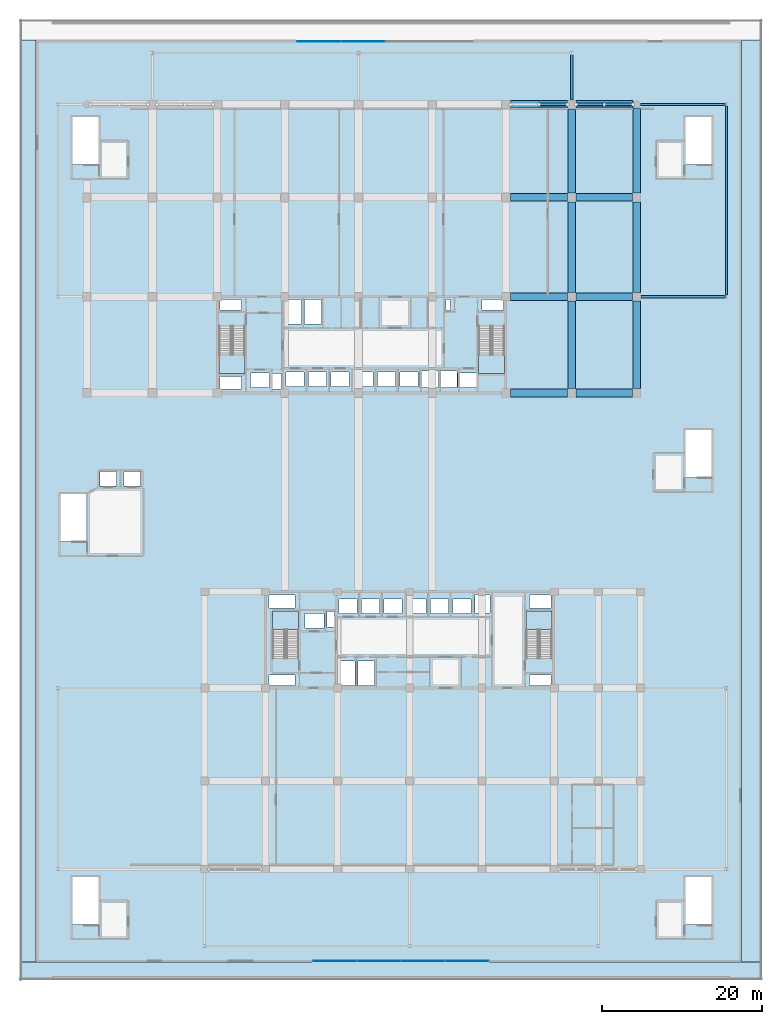
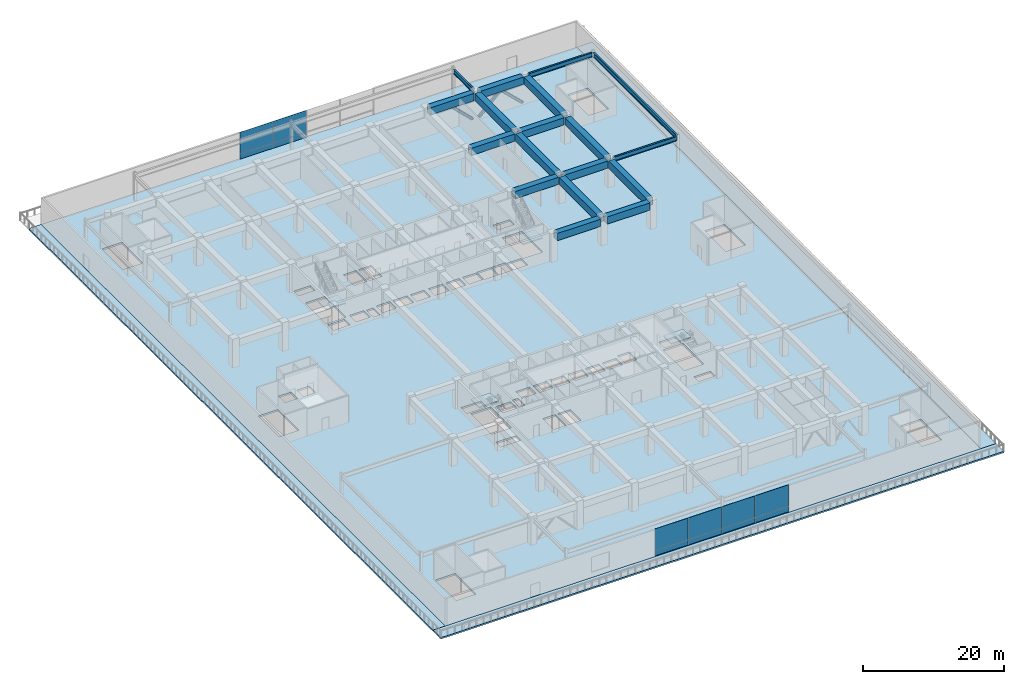
# One storey, part 17 of 38: 18 beams, 12 plates, 8 slabs, 3 members, 6 elements without a shape of their own.
"""IFC4 building model written with IfcOpenShell, lengths in metres."""

from ifc_helpers import new_model, si_unit, direction, frame, origin, origin_2d, place, context, subcontext, project, spatial, polyline, rectangle, hollow_rectangle, i_section, outline, extrude, material, layer, layer_set, material_profile, profile_set, type_object, element, aggregate, save


model = new_model("IFC4")

# Units and contexts
model_context = context("Model", 3, precision=1e-05, world=origin(), true_north=direction((0.0, 1.0)))
body_context = subcontext(model_context, "Body", "Model", "MODEL_VIEW")
ifc_project = project(units=[si_unit("LENGTHUNIT", "METRE"), si_unit("AREAUNIT", "SQUARE_METRE"), si_unit("VOLUMEUNIT", "CUBIC_METRE"), si_unit("PLANEANGLEUNIT", "RADIAN"), si_unit("MASSUNIT", "GRAM", prefix="KILO")], contexts=[model_context])

# Site, building, storey
site_placement = place(None, origin())
site = spatial("IfcSite", under=ifc_project, at=site_placement, CompositionType="ELEMENT")
building_placement = place(site_placement, origin())
building = spatial("IfcBuilding", under=site, at=building_placement, Name="Korimba Cascade Residences", CompositionType="ELEMENT")
storey_placement = place(building_placement, frame((0.0, 0.0, 19.0)))
storey = spatial("IfcBuildingStorey", under=building, at=storey_placement, Name="L04", CompositionType="ELEMENT", Elevation=19.0)

# Beams
ifc_material_1 = material(Name="Steel S355", Category="steel")
ifc_material_profile_1 = material_profile(ifc_material_1, i_section(OverallWidth=0.26806640625, OverallDepth=0.769775390625, WebThickness=0.015625, FlangeThickness=0.025390625, FilletRadius=0.0166015625, at=origin_2d()), Name="Steel S355")
ifc_profile_set_1 = profile_set([ifc_material_profile_1], Name="Steel S355")
beam_type_1 = type_object("IfcBeamType", Name="BM-STL-UB762", PredefinedType="BEAM", material=ifc_profile_set_1)
beam_1_placement = place(storey_placement, frame((128.949951171875, 67.199951171875, 4.295166015625), z_axis=(1.0, 0.0, 0.0), x_axis=(0.0, 1.0, 0.0)))
element("IfcBeam", 1, at=beam_1_placement, inside=storey, type_object=beam_type_1, Name="L04 Podium Frame Girder E3", PredefinedType="BEAM", context=body_context, shape_type="SweptSolid", body=[
    extrude(i_section(OverallWidth=0.26806640625, OverallDepth=0.769775390625, WebThickness=0.015625, FlangeThickness=0.025390625, FilletRadius=0.0166015625, at=origin_2d()), origin(), (0.0, 0.0, 1.0), 10.450439453125),
])
beam_2_placement = place(storey_placement, frame((128.875, 91.199951171875, 4.295166015625), z_axis=(1.0, 0.0, 0.0), x_axis=(0.0, 1.0, 0.0)))
element("IfcBeam", 2, at=beam_2_placement, inside=storey, type_object=beam_type_1, Name="L04 Podium Frame Girder E4", PredefinedType="BEAM", context=body_context, shape_type="SweptSolid", body=[
    extrude(i_section(OverallWidth=0.26806640625, OverallDepth=0.769775390625, WebThickness=0.015625, FlangeThickness=0.025390625, FilletRadius=0.0166015625, at=origin_2d()), origin(), (0.0, 0.0, 1.0), 10.525390625),
])
beam_3_placement = place(storey_placement, frame((139.60009765625, 67.396728515625, 4.295166015625), z_axis=(0.0, 1.0, 0.0), x_axis=(-1.0, 0.0, 0.0)))
element("IfcBeam", 3, at=beam_3_placement, inside=storey, type_object=beam_type_1, Name="L04 Podium Frame Girder ES", PredefinedType="BEAM", context=body_context, shape_type="SweptSolid", body=[
    extrude(i_section(OverallWidth=0.26806640625, OverallDepth=0.769775390625, WebThickness=0.015625, FlangeThickness=0.025390625, FilletRadius=0.0166015625, at=origin_2d()), origin(), (0.0, 0.0, 1.0), 23.6064453125),
])
beam_4_placement = place(storey_placement, frame((120.300048828125, 91.75, 4.295166015625), z_axis=(0.0, 1.0, 0.0), x_axis=(-1.0, 0.0, 0.0)))
element("IfcBeam", 4, at=beam_4_placement, inside=storey, type_object=beam_type_1, Name="L04 Podium Frame Girder N3", PredefinedType="BEAM", context=body_context, shape_type="SweptSolid", body=[
    extrude(i_section(OverallWidth=0.26806640625, OverallDepth=0.769775390625, WebThickness=0.015625, FlangeThickness=0.025390625, FilletRadius=0.0166015625, at=origin_2d()), origin(), (0.0, 0.0, 1.0), 5.6533203125),
])
ifc_material_2 = material(Name="Concrete C65/80", Category="concrete")
ifc_material_profile_2 = material_profile(ifc_material_2, rectangle(XDim=0.949951171875, YDim=1.25, at=origin_2d()), Name="Concrete C65/80")
ifc_profile_set_2 = profile_set([ifc_material_profile_2], Name="Concrete C65/80")
beam_type_2 = type_object("IfcBeamType", Name="BM-TRF-1250", PredefinedType="T_BEAM", material=ifc_profile_set_2)
beam_5_placement = place(storey_placement, frame((112.64990234375, 55.199951171875, 4.054931640625), z_axis=(1.0, 0.0, 0.0), x_axis=(0.0, 1.0, 0.0)))
element("IfcBeam", 5, at=beam_5_placement, inside=storey, type_object=beam_type_2, Name="L04 T1 E-W Girder Y1 Bay 7", PredefinedType="T_BEAM", context=body_context, shape_type="SweptSolid", body=[
    extrude(rectangle(XDim=0.949951171875, YDim=1.25, at=origin_2d()), origin(), (0.0, 0.0, 1.0), 7.10009765625),
])
beam_6_placement = place(storey_placement, frame((120.85009765625, 55.199951171875, 4.054931640625), z_axis=(1.0, 0.0, 0.0), x_axis=(0.0, 1.0, 0.0)))
element("IfcBeam", 6, at=beam_6_placement, inside=storey, type_object=beam_type_2, Name="L04 T1 E-W Girder Y1 Bay 8", PredefinedType="T_BEAM", context=body_context, shape_type="SweptSolid", body=[
    extrude(rectangle(XDim=0.949951171875, YDim=1.25, at=origin_2d()), origin(), (0.0, 0.0, 1.0), 7.0),
])
beam_7_placement = place(storey_placement, frame((112.64990234375, 67.199951171875, 4.054931640625), z_axis=(1.0, 0.0, 0.0), x_axis=(0.0, 1.0, 0.0)))
element("IfcBeam", 7, at=beam_7_placement, inside=storey, type_object=beam_type_2, Name="L04 T1 E-W Girder Y2 Bay 7", PredefinedType="T_BEAM", context=body_context, shape_type="SweptSolid", body=[
    extrude(rectangle(XDim=0.949951171875, YDim=1.25, at=origin_2d()), origin(), (0.0, 0.0, 1.0), 7.10009765625),
])
beam_8_placement = place(storey_placement, frame((120.85009765625, 67.199951171875, 4.054931640625), z_axis=(1.0, 0.0, 0.0), x_axis=(0.0, 1.0, 0.0)))
element("IfcBeam", 8, at=beam_8_placement, inside=storey, type_object=beam_type_2, Name="L04 T1 E-W Girder Y2 Bay 8", PredefinedType="T_BEAM", context=body_context, shape_type="SweptSolid", body=[
    extrude(rectangle(XDim=0.949951171875, YDim=1.25, at=origin_2d()), origin(), (0.0, 0.0, 1.0), 7.0),
])
beam_9_placement = place(storey_placement, frame((112.64990234375, 79.60009765625, 4.054931640625), z_axis=(1.0, 0.0, 0.0), x_axis=(0.0, 1.0, 0.0)))
element("IfcBeam", 9, at=beam_9_placement, inside=storey, type_object=beam_type_2, Name="L04 T1 E-W Girder Y3 Bay 7", PredefinedType="T_BEAM", context=body_context, shape_type="SweptSolid", body=[
    extrude(rectangle(XDim=0.949951171875, YDim=1.25, at=origin_2d()), origin(), (0.0, 0.0, 1.0), 7.10009765625),
])
beam_10_placement = place(storey_placement, frame((120.85009765625, 79.60009765625, 4.054931640625), z_axis=(1.0, 0.0, 0.0), x_axis=(0.0, 1.0, 0.0)))
element("IfcBeam", 10, at=beam_10_placement, inside=storey, type_object=beam_type_2, Name="L04 T1 E-W Girder Y3 Bay 8", PredefinedType="T_BEAM", context=body_context, shape_type="SweptSolid", body=[
    extrude(rectangle(XDim=0.949951171875, YDim=1.25, at=origin_2d()), origin(), (0.0, 0.0, 1.0), 7.0),
])
beam_11_placement = place(storey_placement, frame((112.64990234375, 91.199951171875, 4.054931640625), z_axis=(1.0, 0.0, 0.0), x_axis=(0.0, 1.0, 0.0)))
element("IfcBeam", 11, at=beam_11_placement, inside=storey, type_object=beam_type_2, Name="L04 T1 E-W Girder Y4 Bay 7", PredefinedType="T_BEAM", context=body_context, shape_type="SweptSolid", body=[
    extrude(rectangle(XDim=0.949951171875, YDim=1.25, at=origin_2d()), origin(), (0.0, 0.0, 1.0), 7.10009765625),
])
beam_12_placement = place(storey_placement, frame((120.85009765625, 91.199951171875, 4.054931640625), z_axis=(1.0, 0.0, 0.0), x_axis=(0.0, 1.0, 0.0)))
element("IfcBeam", 12, at=beam_12_placement, inside=storey, type_object=beam_type_2, Name="L04 T1 E-W Girder Y4 Bay 8", PredefinedType="T_BEAM", context=body_context, shape_type="SweptSolid", body=[
    extrude(rectangle(XDim=0.949951171875, YDim=1.25, at=origin_2d()), origin(), (0.0, 0.0, 1.0), 7.074951171875),
])
beam_13_placement = place(storey_placement, frame((120.300048828125, 55.75, 4.054931640625), z_axis=(0.0, 1.0, 0.0), x_axis=(-1.0, 0.0, 0.0)))
element("IfcBeam", 13, at=beam_13_placement, inside=storey, type_object=beam_type_2, Name="L04 T1 N-S Girder X8 Seg 1", PredefinedType="T_BEAM", context=body_context, shape_type="SweptSolid", body=[
    extrude(rectangle(XDim=0.949951171875, YDim=1.25, at=origin_2d()), origin(), (0.0, 0.0, 1.0), 10.89990234375),
])
beam_14_placement = place(storey_placement, frame((120.300048828125, 67.75, 4.054931640625), z_axis=(0.0, 1.0, 0.0), x_axis=(-1.0, 0.0, 0.0)))
element("IfcBeam", 14, at=beam_14_placement, inside=storey, type_object=beam_type_2, Name="L04 T1 N-S Girder X8 Seg 2", PredefinedType="T_BEAM", context=body_context, shape_type="SweptSolid", body=[
    extrude(rectangle(XDim=0.949951171875, YDim=1.25, at=origin_2d()), origin(), (0.0, 0.0, 1.0), 11.300048828125),
])
beam_15_placement = place(storey_placement, frame((120.300048828125, 80.14990234375, 4.054931640625), z_axis=(0.0, 1.0, 0.0), x_axis=(-1.0, 0.0, 0.0)))
element("IfcBeam", 15, at=beam_15_placement, inside=storey, type_object=beam_type_2, Name="L04 T1 N-S Girder X8 Seg 3", PredefinedType="T_BEAM", context=body_context, shape_type="SweptSolid", body=[
    extrude(rectangle(XDim=0.949951171875, YDim=1.25, at=origin_2d()), origin(), (0.0, 0.0, 1.0), 10.5),
])
beam_16_placement = place(storey_placement, frame((128.39990234375, 55.75, 4.054931640625), z_axis=(0.0, 1.0, 0.0), x_axis=(-1.0, 0.0, 0.0)))
element("IfcBeam", 16, at=beam_16_placement, inside=storey, type_object=beam_type_2, Name="L04 T1 N-S Girder X9 Seg 1", PredefinedType="T_BEAM", context=body_context, shape_type="SweptSolid", body=[
    extrude(rectangle(XDim=0.949951171875, YDim=1.25, at=origin_2d()), origin(), (0.0, 0.0, 1.0), 10.89990234375),
])
beam_17_placement = place(storey_placement, frame((128.39990234375, 67.75, 4.054931640625), z_axis=(0.0, 1.0, 0.0), x_axis=(-1.0, 0.0, 0.0)))
element("IfcBeam", 17, at=beam_17_placement, inside=storey, type_object=beam_type_2, Name="L04 T1 N-S Girder X9 Seg 2", PredefinedType="T_BEAM", context=body_context, shape_type="SweptSolid", body=[
    extrude(rectangle(XDim=0.949951171875, YDim=1.25, at=origin_2d()), origin(), (0.0, 0.0, 1.0), 11.300048828125),
])
beam_18_placement = place(storey_placement, frame((128.39990234375, 80.14990234375, 4.054931640625), z_axis=(0.0, 1.0, 0.0), x_axis=(-1.0, 0.0, 0.0)))
element("IfcBeam", 18, at=beam_18_placement, inside=storey, type_object=beam_type_2, Name="L04 T1 N-S Girder X9 Seg 3", PredefinedType="T_BEAM", context=body_context, shape_type="SweptSolid", body=[
    extrude(rectangle(XDim=0.949951171875, YDim=1.25, at=origin_2d()), origin(), (0.0, 0.0, 1.0), 10.5751953125),
])

# Members
ifc_material_3 = material(Name="Steel S460", Category="steel")
ifc_material_profile_3 = material_profile(ifc_material_3, hollow_rectangle(XDim=0.35009765625, YDim=0.35009765625, WallThickness=0.01611328125, InnerFilletRadius=0.01611328125, OuterFilletRadius=0.031982421875, at=origin_2d()), Name="Steel S460")
ifc_profile_set_3 = profile_set([ifc_material_profile_3], Name="Steel S460")
member_type = type_object("IfcMemberType", Name="MEM-BLT-SHS350", PredefinedType="BRACE", material=ifc_profile_set_3)
member_1_placement = place(storey_placement, frame((119.75, 91.199951171875, 0.0), z_axis=(-0.719168769834, 0.0, 0.69483543411), x_axis=(0.0, -1.0, 0.0)))
element("IfcMember", 19, at=member_1_placement, inside=storey, type_object=member_type, Name="L04 Transfer Chevron Brace N7B", PredefinedType="BRACE", context=body_context, shape_type="SweptSolid", body=[
    extrude(hollow_rectangle(XDim=0.35009765625, YDim=0.35009765625, WallThickness=0.01611328125, InnerFilletRadius=0.01611328125, OuterFilletRadius=0.031982421875, at=origin_2d()), origin(), (0.0, 0.0, 1.0), 4.936279296875),
])
member_2_placement = place(storey_placement, frame((120.85009765625, 91.199951171875, 0.0), z_axis=(0.714219812487, 0.0, 0.699921466631), x_axis=(0.0, 1.0, 0.0)))
element("IfcMember", 20, at=member_2_placement, inside=storey, type_object=member_type, Name="L04 Transfer Chevron Brace N8A", PredefinedType="BRACE", context=body_context, shape_type="SweptSolid", body=[
    extrude(hollow_rectangle(XDim=0.35009765625, YDim=0.35009765625, WallThickness=0.01611328125, InnerFilletRadius=0.01611328125, OuterFilletRadius=0.031982421875, at=origin_2d()), origin(), (0.0, 0.0, 1.0), 4.900390625),
])
member_3_placement = place(storey_placement, frame((127.925048828125, 91.199951171875, 0.0), z_axis=(-0.721591134613, 0.0, 0.692319459822), x_axis=(0.0, -1.0, 0.0)))
element("IfcMember", 21, at=member_3_placement, inside=storey, type_object=member_type, Name="L04 Transfer Chevron Brace N8B", PredefinedType="BRACE", context=body_context, shape_type="SweptSolid", body=[
    extrude(hollow_rectangle(XDim=0.35009765625, YDim=0.35009765625, WallThickness=0.01611328125, InnerFilletRadius=0.01611328125, OuterFilletRadius=0.031982421875, at=origin_2d()), origin(), (0.0, 0.0, 1.0), 4.954345703125),
])

# Curtain wall, plates
ifc_material_4 = material(Name="Anodised Aluminium Curtain Wall Framing", Category="aluminium")
ifc_layer_1 = layer(ifc_material_4, 0.179931640625)
ifc_layer_set_1 = layer_set([ifc_layer_1], Name="Anodised Aluminium Curtain Wall Framing")
curtain_wall_type = type_object("IfcCurtainWallType", Name="CW-POD-SYS1", PredefinedType="NOTDEFINED", material=ifc_layer_set_1)
curtain_wall_1_placement = place(storey_placement, origin())
curtain_wall_1 = element("IfcCurtainWall", 22, at=curtain_wall_1_placement, inside=storey, type_object=curtain_wall_type, Name="L04 Curtain Wall CW-L04-POD-S", PredefinedType="NOTDEFINED")
ifc_material_5 = material(Name="Insulated Stone-Tone Spandrel Panel", Category="masonry")
ifc_layer_2 = layer(ifc_material_5, 0.0400390625)
ifc_layer_set_2 = layer_set([ifc_layer_2], Name="Insulated Stone-Tone Spandrel Panel")
plate_type_1 = type_object("IfcPlateType", Name="CWP-SPN-40", PredefinedType="USERDEFINED", material=ifc_layer_set_2)
plate_1_placement = place(storey_placement, frame((90.77001953125, -15.64990234375, 0.0), z_axis=(0.0, 0.0, 1.0), x_axis=(1.0, 0.0, 0.0)))
plate_1 = element("IfcPlate", 23, at=plate_1_placement, type_object=plate_type_1, Name="CW-L04-POD-S Spandrel Panel 1", ObjectType="SPANDREL", PredefinedType="USERDEFINED", context=body_context, shape_type="SweptSolid", body=[
    extrude(rectangle(XDim=5.409912109375, YDim=0.0400390625, at=origin_2d()), origin(), (0.0, 0.0, 1.0), 0.89990234375),
])
plate_2_placement = place(storey_placement, frame((96.25, -15.64990234375, 0.0), z_axis=(0.0, 0.0, 1.0), x_axis=(1.0, 0.0, 0.0)))
plate_2 = element("IfcPlate", 24, at=plate_2_placement, type_object=plate_type_1, Name="CW-L04-POD-S Spandrel Panel 2", ObjectType="SPANDREL", PredefinedType="USERDEFINED", context=body_context, shape_type="SweptSolid", body=[
    extrude(rectangle(XDim=5.449951171875, YDim=0.0400390625, at=origin_2d()), origin(), (0.0, 0.0, 1.0), 0.89990234375),
])
plate_3_placement = place(storey_placement, frame((101.75, -15.64990234375, 0.0), z_axis=(0.0, 0.0, 1.0), x_axis=(1.0, 0.0, 0.0)))
plate_3 = element("IfcPlate", 25, at=plate_3_placement, type_object=plate_type_1, Name="CW-L04-POD-S Spandrel Panel 3", ObjectType="SPANDREL", PredefinedType="USERDEFINED", context=body_context, shape_type="SweptSolid", body=[
    extrude(rectangle(XDim=5.449951171875, YDim=0.0400390625, at=origin_2d()), origin(), (0.0, 0.0, 1.0), 0.89990234375),
])
plate_4_placement = place(storey_placement, frame((107.22998046875, -15.64990234375, 0.0), z_axis=(0.0, 0.0, 1.0), x_axis=(1.0, 0.0, 0.0)))
plate_4 = element("IfcPlate", 26, at=plate_4_placement, type_object=plate_type_1, Name="CW-L04-POD-S Spandrel Panel 4", ObjectType="SPANDREL", PredefinedType="USERDEFINED", context=body_context, shape_type="SweptSolid", body=[
    extrude(rectangle(XDim=5.409912109375, YDim=0.0400390625, at=origin_2d()), origin(), (0.0, 0.0, 1.0), 0.89990234375),
])

curtain_wall_2_placement = place(storey_placement, origin())
curtain_wall_2 = element("IfcCurtainWall", 27, at=curtain_wall_2_placement, inside=storey, type_object=curtain_wall_type, Name="L04 Curtain Wall CW-L04-POD-N", PredefinedType="NOTDEFINED")
plate_5_placement = place(storey_placement, frame((94.25, 99.050048828125, 0.0), z_axis=(0.0, 0.0, 1.0), x_axis=(-1.0, 0.0, 0.0)))
plate_5 = element("IfcPlate", 28, at=plate_5_placement, type_object=plate_type_1, Name="CW-L04-POD-N Spandrel Panel 3", ObjectType="SPANDREL", PredefinedType="USERDEFINED", context=body_context, shape_type="SweptSolid", body=[
    extrude(rectangle(XDim=5.449951171875, YDim=0.0400390625, at=origin_2d()), origin(), (0.0, 0.0, 1.0), 0.89990234375),
])
plate_6_placement = place(storey_placement, frame((88.77001953125, 99.050048828125, 0.0), z_axis=(0.0, 0.0, 1.0), x_axis=(-1.0, 0.0, 0.0)))
plate_6 = element("IfcPlate", 29, at=plate_6_placement, type_object=plate_type_1, Name="CW-L04-POD-N Spandrel Panel 4", ObjectType="SPANDREL", PredefinedType="USERDEFINED", context=body_context, shape_type="SweptSolid", body=[
    extrude(rectangle(XDim=5.409912109375, YDim=0.0400390625, at=origin_2d()), origin(), (0.0, 0.0, 1.0), 0.89990234375),
])

# Plate
ifc_material_6 = material(Name="Low-E Double Glazing Unit", Category="glass")
ifc_layer_3 = layer(ifc_material_6, 0.028076171875)
ifc_layer_set_3 = layer_set([ifc_layer_3], Name="Low-E Double Glazing Unit")
plate_type_2 = type_object("IfcPlateType", Name="CWP-VIS-28", PredefinedType="CURTAIN_PANEL", material=ifc_layer_set_3)
plate_7_placement = place(storey_placement, frame((90.77001953125, -15.64990234375, 0.89990234375), z_axis=(0.0, 0.0, 1.0), x_axis=(1.0, 0.0, 0.0)))
plate_7 = element("IfcPlate", 30, at=plate_7_placement, type_object=plate_type_2, Name="CW-L04-POD-S Vision Glass Panel 1", PredefinedType="CURTAIN_PANEL", context=body_context, shape_type="SweptSolid", body=[
    extrude(rectangle(XDim=5.409912109375, YDim=0.028076171875, at=origin_2d()), origin(), (0.0, 0.0, 1.0), 3.780029296875),
])

plate_8_placement = place(storey_placement, frame((96.25, -15.64990234375, 0.89990234375), z_axis=(0.0, 0.0, 1.0), x_axis=(1.0, 0.0, 0.0)))
plate_8 = element("IfcPlate", 31, at=plate_8_placement, type_object=plate_type_2, Name="CW-L04-POD-S Vision Glass Panel 2", PredefinedType="CURTAIN_PANEL", context=body_context, shape_type="SweptSolid", body=[
    extrude(rectangle(XDim=5.449951171875, YDim=0.028076171875, at=origin_2d()), origin(), (0.0, 0.0, 1.0), 3.780029296875),
])

plate_9_placement = place(storey_placement, frame((101.75, -15.64990234375, 0.89990234375), z_axis=(0.0, 0.0, 1.0), x_axis=(1.0, 0.0, 0.0)))
plate_9 = element("IfcPlate", 32, at=plate_9_placement, type_object=plate_type_2, Name="CW-L04-POD-S Vision Glass Panel 3", PredefinedType="CURTAIN_PANEL", context=body_context, shape_type="SweptSolid", body=[
    extrude(rectangle(XDim=5.449951171875, YDim=0.028076171875, at=origin_2d()), origin(), (0.0, 0.0, 1.0), 3.780029296875),
])

plate_10_placement = place(storey_placement, frame((107.22998046875, -15.64990234375, 0.89990234375), z_axis=(0.0, 0.0, 1.0), x_axis=(1.0, 0.0, 0.0)))
plate_10 = element("IfcPlate", 33, at=plate_10_placement, type_object=plate_type_2, Name="CW-L04-POD-S Vision Glass Panel 4", PredefinedType="CURTAIN_PANEL", context=body_context, shape_type="SweptSolid", body=[
    extrude(rectangle(XDim=5.409912109375, YDim=0.028076171875, at=origin_2d()), origin(), (0.0, 0.0, 1.0), 3.780029296875),
])

aggregate(curtain_wall_1, [plate_1, plate_7, plate_2, plate_8, plate_3, plate_9, plate_4, plate_10])

plate_11_placement = place(storey_placement, frame((94.25, 99.050048828125, 0.89990234375), z_axis=(0.0, 0.0, 1.0), x_axis=(-1.0, 0.0, 0.0)))
plate_11 = element("IfcPlate", 34, at=plate_11_placement, type_object=plate_type_2, Name="CW-L04-POD-N Vision Glass Panel 3", PredefinedType="CURTAIN_PANEL", context=body_context, shape_type="SweptSolid", body=[
    extrude(rectangle(XDim=5.449951171875, YDim=0.028076171875, at=origin_2d()), origin(), (0.0, 0.0, 1.0), 3.780029296875),
])

plate_12_placement = place(storey_placement, frame((88.77001953125, 99.050048828125, 0.89990234375), z_axis=(0.0, 0.0, 1.0), x_axis=(-1.0, 0.0, 0.0)))
plate_12 = element("IfcPlate", 35, at=plate_12_placement, type_object=plate_type_2, Name="CW-L04-POD-N Vision Glass Panel 4", PredefinedType="CURTAIN_PANEL", context=body_context, shape_type="SweptSolid", body=[
    extrude(rectangle(XDim=5.409912109375, YDim=0.028076171875, at=origin_2d()), origin(), (0.0, 0.0, 1.0), 3.780029296875),
])

aggregate(curtain_wall_2, [plate_5, plate_11, plate_6, plate_12])

# Stair, slab
ifc_material_7 = material(Name="Concrete C50/60", Category="concrete")
stair_type_1 = type_object("IfcStairType", Name="STR-W1-28R-1786", PredefinedType="HALF_TURN_STAIR", material=ifc_material_7)
stair_1_placement = place(storey_placement, origin())
stair_1 = element("IfcStair", 36, at=stair_1_placement, inside=storey, type_object=stair_type_1, Name="L04 Tower 1 West Fire Stair ST-W1", PredefinedType="HALF_TURN_STAIR")
ifc_layer_4 = layer(ifc_material_7, 0.199951171875)
ifc_layer_set_4 = layer_set([ifc_layer_4], Name="Concrete C50/60")
slab_type_1 = type_object("IfcSlabType", Name="SLB-LND-220", PredefinedType="LANDING", material=ifc_layer_set_4)
slab_1_placement = place(storey_placement, frame((0.0, 0.0, 2.300048828125)))
slab_1 = element("IfcSlab", 37, at=slab_1_placement, type_object=slab_type_1, Name="ST-W1 landing 1", PredefinedType="LANDING", context=body_context, shape_type="SweptSolid", body=[
    extrude(outline(polyline([(76.300048828125, 59.909912109375), (76.300048828125, 57.60009765625), (79.5400390625, 57.60009765625), (79.5400390625, 59.909912109375), (76.300048828125, 59.909912109375)])), origin(), (0.0, 0.0, 1.0), 0.199951171875),
])
aggregate(stair_1, [slab_1])

stair_type_2 = type_object("IfcStairType", Name="STR-W2-28R-1786", PredefinedType="HALF_TURN_STAIR", material=ifc_material_7)
stair_2_placement = place(storey_placement, origin())
stair_2 = element("IfcStair", 38, at=stair_2_placement, inside=storey, type_object=stair_type_2, Name="L04 Tower 1 East Fire Stair ST-W2", PredefinedType="HALF_TURN_STAIR")
slab_2_placement = place(storey_placement, frame((0.0, 0.0, 2.300048828125)))
slab_2 = element("IfcSlab", 39, at=slab_2_placement, type_object=slab_type_1, Name="ST-W2 landing 1", PredefinedType="LANDING", context=body_context, shape_type="SweptSolid", body=[
    extrude(outline(polyline([(108.659912109375, 59.909912109375), (108.659912109375, 57.60009765625), (111.89990234375, 57.60009765625), (111.89990234375, 59.909912109375), (108.659912109375, 59.909912109375)])), origin(), (0.0, 0.0, 1.0), 0.199951171875),
])
aggregate(stair_2, [slab_2])

stair_type_3 = type_object("IfcStairType", Name="STR-E1-28R-1786", PredefinedType="HALF_TURN_STAIR", material=ifc_material_7)
stair_3_placement = place(storey_placement, origin())
stair_3 = element("IfcStair", 40, at=stair_3_placement, inside=storey, type_object=stair_type_3, Name="L04 Tower 2 West Fire Stair ST-E1", PredefinedType="HALF_TURN_STAIR")
slab_3_placement = place(storey_placement, frame((0.0, 0.0, 2.300048828125)))
slab_3 = element("IfcSlab", 41, at=slab_3_placement, type_object=slab_type_1, Name="ST-E1 landing 1", PredefinedType="LANDING", context=body_context, shape_type="SweptSolid", body=[
    extrude(outline(polyline([(86.239990234375, 25.68994140625), (86.239990234375, 28.0), (83.0, 28.0), (83.0, 25.68994140625), (86.239990234375, 25.68994140625)])), origin(), (0.0, 0.0, 1.0), 0.199951171875),
])
aggregate(stair_3, [slab_3])

stair_type_4 = type_object("IfcStairType", Name="STR-E2-28R-1786", PredefinedType="HALF_TURN_STAIR", material=ifc_material_7)
stair_4_placement = place(storey_placement, origin())
stair_4 = element("IfcStair", 42, at=stair_4_placement, inside=storey, type_object=stair_type_4, Name="L04 Tower 2 East Fire Stair ST-E2", PredefinedType="HALF_TURN_STAIR")
slab_4_placement = place(storey_placement, frame((0.0, 0.0, 2.300048828125)))
slab_4 = element("IfcSlab", 43, at=slab_4_placement, type_object=slab_type_1, Name="ST-E2 landing 1", PredefinedType="LANDING", context=body_context, shape_type="SweptSolid", body=[
    extrude(outline(polyline([(117.840087890625, 25.68994140625), (117.840087890625, 28.0), (114.60009765625, 28.0), (114.60009765625, 25.68994140625), (117.840087890625, 25.68994140625)])), origin(), (0.0, 0.0, 1.0), 0.199951171875),
])
aggregate(stair_4, [slab_4])

# Slabs
ifc_layer_5 = layer(ifc_material_7, 0.260009765625)
ifc_layer_set_5 = layer_set([ifc_layer_5], Name="Concrete C50/60")
slab_type_2 = type_object("IfcSlabType", Name="SLB-TER-260", PredefinedType="FLOOR", material=ifc_layer_set_5)
slab_5_placement = place(storey_placement, frame((0.0, 0.0, -0.260009765625)))
element("IfcSlab", 44, at=slab_5_placement, inside=storey, type_object=slab_type_2, Name="L04 Cascading Garden Terrace Slab S", PredefinedType="FLOOR", context=body_context, shape_type="SweptSolid", body=[
    extrude(outline(polyline([(51.5, -18.0), (144.0, -18.0), (144.0, -15.800048828125), (51.5, -15.800048828125), (51.5, -18.0)])), origin(), (0.0, 0.0, 1.0), 0.260009765625),
])
slab_6_placement = place(storey_placement, frame((0.0, 0.0, -0.260009765625)))
element("IfcSlab", 45, at=slab_6_placement, inside=storey, type_object=slab_type_2, Name="L04 Cascading Garden Terrace Slab W", PredefinedType="FLOOR", context=body_context, shape_type="SweptSolid", body=[
    extrude(outline(polyline([(51.5, -15.800048828125), (53.5, -15.800048828125), (53.5, 99.199951171875), (51.5, 99.199951171875), (51.5, -15.800048828125)])), origin(), (0.0, 0.0, 1.0), 0.260009765625),
])
slab_7_placement = place(storey_placement, frame((0.0, 0.0, -0.260009765625)))
element("IfcSlab", 46, at=slab_7_placement, inside=storey, type_object=slab_type_2, Name="L04 Cascading Garden Terrace Slab E", PredefinedType="FLOOR", context=body_context, shape_type="SweptSolid", body=[
    extrude(outline(polyline([(141.5, -15.800048828125), (144.0, -15.800048828125), (144.0, 99.199951171875), (141.5, 99.199951171875), (141.5, -15.800048828125)])), origin(), (0.0, 0.0, 1.0), 0.260009765625),
])
ifc_layer_6 = layer(ifc_material_2, 0.320068359375)
ifc_layer_set_6 = layer_set([ifc_layer_6], Name="Concrete C65/80")
slab_type_3 = type_object("IfcSlabType", Name="SLB-TRF-320", PredefinedType="FLOOR", material=ifc_layer_set_6)
slab_8_placement = place(storey_placement, frame((0.0, 0.0, -0.320068359375)))
element("IfcSlab", 47, at=slab_8_placement, inside=storey, type_object=slab_type_3, Name="L04 Podium Floor Slab", PredefinedType="FLOOR", context=body_context, shape_type="SweptSolid", body=[
    extrude(outline(polyline([(53.5, -15.800048828125), (141.5, -15.800048828125), (141.5, 99.199951171875), (53.5, 99.199951171875), (53.5, -15.800048828125)]), holes=[polyline([(76.300048828125, 63.514892578125), (76.300048828125, 57.60009765625), (79.5400390625, 57.60009765625), (79.5400390625, 63.514892578125), (76.300048828125, 63.514892578125)]), polyline([(108.659912109375, 63.514892578125), (108.659912109375, 57.60009765625), (111.89990234375, 57.60009765625), (111.89990234375, 63.514892578125), (108.659912109375, 63.514892578125)]), polyline([(86.239990234375, 22.0849609375), (86.239990234375, 28.0), (83.0, 28.0), (83.0, 22.0849609375), (86.239990234375, 22.0849609375)]), polyline([(117.840087890625, 22.0849609375), (117.840087890625, 28.0), (114.60009765625, 28.0), (114.60009765625, 22.0849609375), (117.840087890625, 22.0849609375)]), polyline([(59.739990234375, 36.68505859375), (59.739990234375, 42.60009765625), (56.5, 42.60009765625), (56.5, 36.68505859375), (59.739990234375, 36.68505859375)]), polyline([(137.739990234375, 44.68505859375), (137.739990234375, 50.60009765625), (134.5, 50.60009765625), (134.5, 44.68505859375), (137.739990234375, 44.68505859375)]), polyline([(61.239990234375, -11.114990234375), (61.239990234375, -5.199951171875), (58.0, -5.199951171875), (58.0, -11.114990234375), (61.239990234375, -11.114990234375)]), polyline([(137.739990234375, 83.68505859375), (137.739990234375, 89.60009765625), (134.5, 89.60009765625), (134.5, 83.68505859375), (137.739990234375, 83.68505859375)]), polyline([(61.239990234375, 83.68505859375), (61.239990234375, 89.60009765625), (58.0, 89.60009765625), (58.0, 83.68505859375), (61.239990234375, 83.68505859375)]), polyline([(137.739990234375, -11.114990234375), (137.739990234375, -5.199951171875), (134.5, -5.199951171875), (134.5, -11.114990234375), (137.739990234375, -11.114990234375)]), polyline([(80.22998046875, 55.8798828125), (82.570068359375, 55.8798828125), (82.570068359375, 57.719970703125), (80.22998046875, 57.719970703125), (80.22998046875, 55.8798828125)]), polyline([(106.080078125, 55.8798828125), (108.419921875, 55.8798828125), (108.419921875, 57.719970703125), (106.080078125, 57.719970703125), (106.080078125, 55.8798828125)]), polyline([(87.030029296875, 25.8798828125), (89.3701171875, 25.8798828125), (89.3701171875, 27.719970703125), (87.030029296875, 27.719970703125), (87.030029296875, 25.8798828125)]), polyline([(84.679931640625, 55.97998046875), (86.919921875, 55.97998046875), (86.919921875, 57.820068359375), (84.679931640625, 57.820068359375), (84.679931640625, 55.97998046875)]), polyline([(87.47998046875, 55.97998046875), (89.719970703125, 55.97998046875), (89.719970703125, 57.820068359375), (87.47998046875, 57.820068359375), (87.47998046875, 55.97998046875)]), polyline([(90.280029296875, 55.97998046875), (92.52001953125, 55.97998046875), (92.52001953125, 57.820068359375), (90.280029296875, 57.820068359375), (90.280029296875, 55.97998046875)]), polyline([(93.280029296875, 55.97998046875), (95.52001953125, 55.97998046875), (95.52001953125, 57.820068359375), (93.280029296875, 57.820068359375), (93.280029296875, 55.97998046875)]), polyline([(96.080078125, 55.97998046875), (98.320068359375, 55.97998046875), (98.320068359375, 57.820068359375), (96.080078125, 57.820068359375), (96.080078125, 55.97998046875)]), polyline([(98.8798828125, 55.97998046875), (101.1201171875, 55.97998046875), (101.1201171875, 57.820068359375), (98.8798828125, 57.820068359375), (98.8798828125, 55.97998046875)]), polyline([(101.304931640625, 55.8798828125), (103.594970703125, 55.8798828125), (103.594970703125, 57.919921875), (101.304931640625, 57.919921875), (101.304931640625, 55.8798828125)]), polyline([(103.705078125, 55.8798828125), (105.9951171875, 55.8798828125), (105.9951171875, 57.919921875), (103.705078125, 57.919921875), (103.705078125, 55.8798828125)]), polyline([(91.280029296875, 27.679931640625), (93.52001953125, 27.679931640625), (93.52001953125, 29.52001953125), (91.280029296875, 29.52001953125), (91.280029296875, 27.679931640625)]), polyline([(94.080078125, 27.679931640625), (96.320068359375, 27.679931640625), (96.320068359375, 29.52001953125), (94.080078125, 29.52001953125), (94.080078125, 27.679931640625)]), polyline([(96.8798828125, 27.679931640625), (99.1201171875, 27.679931640625), (99.1201171875, 29.52001953125), (96.8798828125, 29.52001953125), (96.8798828125, 27.679931640625)]), polyline([(99.8798828125, 27.679931640625), (102.1201171875, 27.679931640625), (102.1201171875, 29.52001953125), (99.8798828125, 29.52001953125), (99.8798828125, 27.679931640625)]), polyline([(102.679931640625, 27.679931640625), (104.919921875, 27.679931640625), (104.919921875, 29.52001953125), (102.679931640625, 29.52001953125), (102.679931640625, 27.679931640625)]), polyline([(105.47998046875, 27.679931640625), (107.719970703125, 27.679931640625), (107.719970703125, 29.52001953125), (105.47998046875, 29.52001953125), (105.47998046875, 27.679931640625)]), polyline([(61.47998046875, 43.580078125), (63.52001953125, 43.580078125), (63.52001953125, 45.419921875), (61.47998046875, 45.419921875), (61.47998046875, 43.580078125)]), polyline([(64.47998046875, 43.580078125), (66.52001953125, 43.580078125), (66.52001953125, 45.419921875), (64.47998046875, 45.419921875), (64.47998046875, 43.580078125)]), polyline([(82.97998046875, 55.679931640625), (84.080078125, 55.679931640625), (84.080078125, 57.6201171875), (82.97998046875, 57.6201171875), (82.97998046875, 55.679931640625)]), polyline([(76.39990234375, 65.56005859375), (79.10009765625, 65.56005859375), (79.10009765625, 66.8798828125), (76.39990234375, 66.8798828125), (76.39990234375, 65.56005859375)]), polyline([(76.39990234375, 55.679931640625), (79.10009765625, 55.679931640625), (79.10009765625, 57.239990234375), (76.39990234375, 57.239990234375), (76.39990234375, 55.679931640625)]), polyline([(84.530029296875, 63.820068359375), (86.6201171875, 63.820068359375), (86.6201171875, 66.8798828125), (84.530029296875, 66.8798828125), (84.530029296875, 63.820068359375)]), polyline([(86.97998046875, 63.820068359375), (89.070068359375, 63.820068359375), (89.070068359375, 66.8798828125), (86.97998046875, 66.8798828125), (86.97998046875, 63.820068359375)]), polyline([(104.6201171875, 65.4599609375), (105.179931640625, 65.4599609375), (105.179931640625, 66.8798828125), (104.6201171875, 66.8798828125), (104.6201171875, 65.4599609375)]), polyline([(109.080078125, 65.56005859375), (111.800048828125, 65.56005859375), (111.800048828125, 66.8798828125), (109.080078125, 66.8798828125), (109.080078125, 65.56005859375)]), polyline([(89.780029296875, 25.97998046875), (90.719970703125, 25.97998046875), (90.719970703125, 27.919921875), (89.780029296875, 27.919921875), (89.780029296875, 25.97998046875)]), polyline([(82.530029296875, 18.72998046875), (85.800048828125, 18.72998046875), (85.800048828125, 20.0400390625), (82.530029296875, 20.0400390625), (82.530029296875, 18.72998046875)]), polyline([(82.530029296875, 28.360107421875), (85.800048828125, 28.360107421875), (85.800048828125, 29.969970703125), (82.530029296875, 29.969970703125), (82.530029296875, 28.360107421875)]), polyline([(108.22998046875, 27.780029296875), (110.1201171875, 27.780029296875), (110.1201171875, 29.969970703125), (108.22998046875, 29.969970703125), (108.22998046875, 27.780029296875)]), polyline([(91.22998046875, 18.72998046875), (93.27001953125, 18.72998046875), (93.27001953125, 21.780029296875), (91.22998046875, 21.780029296875), (91.22998046875, 18.72998046875)]), polyline([(93.6298828125, 18.72998046875), (95.719970703125, 18.72998046875), (95.719970703125, 21.780029296875), (93.6298828125, 21.780029296875), (93.6298828125, 18.72998046875)]), polyline([(115.02001953125, 18.72998046875), (117.739990234375, 18.72998046875), (117.739990234375, 20.0400390625), (115.02001953125, 20.0400390625), (115.02001953125, 18.72998046875)]), polyline([(115.02001953125, 28.360107421875), (117.739990234375, 28.360107421875), (117.739990234375, 29.969970703125), (115.02001953125, 29.969970703125), (115.02001953125, 28.360107421875)])]), origin(), (0.0, 0.0, 1.0), 0.320068359375),
])

save(model, "model.ifc")
